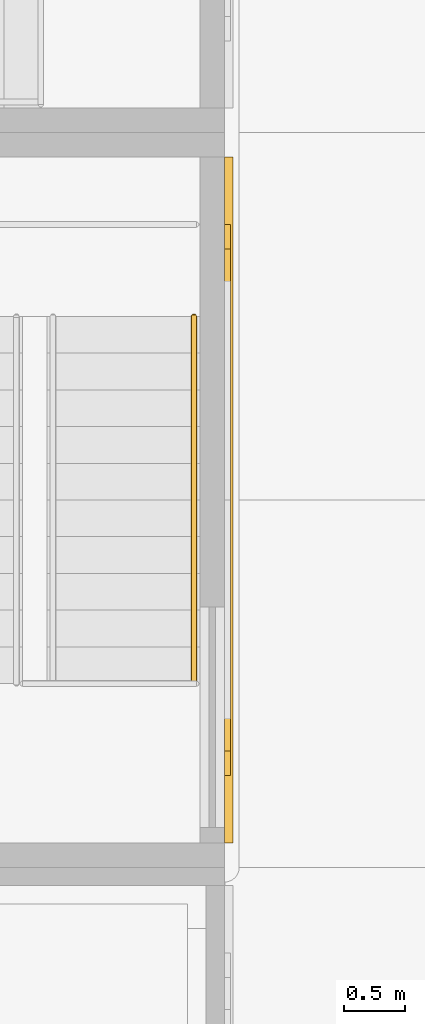
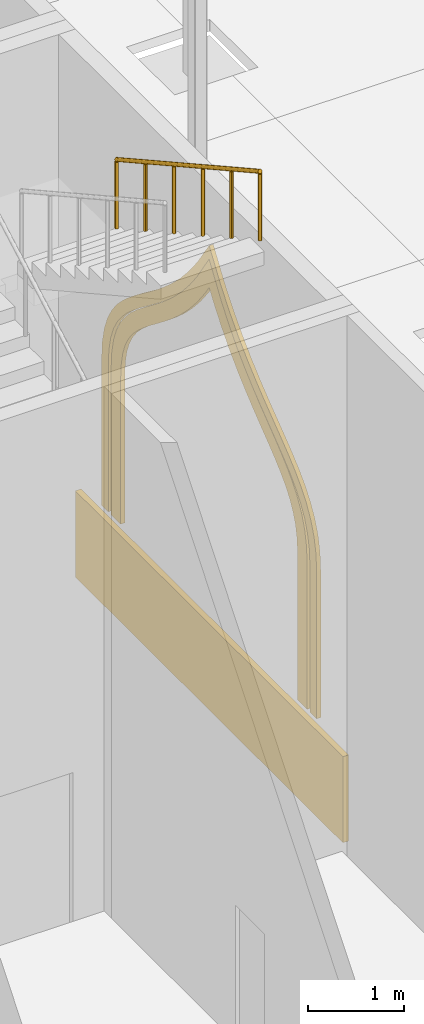
# One storey, part 71 of 95: 3 coverings, 1 railing.
"""IFC4 building model written with IfcOpenShell, lengths in metres."""

from ifc_helpers import new_model, si_unit, direction, frame, origin, origin_2d, place, context, subcontext, project, spatial, polyline, rectangle, circle, outline, extrude, material, layer, layer_set, type_object, element, save


model = new_model("IFC4")

# Units and contexts
model_context = context("Model", 3, precision=1e-05, world=origin(), true_north=direction((0.0, 1.0)))
body_context = subcontext(model_context, "Body", "Model", "MODEL_VIEW")
ifc_project = project(units=[si_unit("LENGTHUNIT", "METRE"), si_unit("AREAUNIT", "SQUARE_METRE"), si_unit("VOLUMEUNIT", "CUBIC_METRE"), si_unit("PLANEANGLEUNIT", "RADIAN"), si_unit("MASSUNIT", "GRAM", prefix="KILO")], contexts=[model_context])

# Site, building, storey
site_placement = place(None, origin())
site = spatial("IfcSite", under=ifc_project, at=site_placement, CompositionType="ELEMENT")
building_placement = place(site_placement, origin())
building = spatial("IfcBuilding", under=site, at=building_placement, Name="Saffron Lane Theatres", CompositionType="ELEMENT")
storey_placement = place(building_placement, origin())
storey = spatial("IfcBuildingStorey", under=building, at=storey_placement, Name="L00", CompositionType="ELEMENT", Elevation=0.0)

# Coverings
ifc_material_1 = material(Name="Masonry sandstone", Category="masonry")
ifc_layer_1 = layer(ifc_material_1, 0.050048828125)
ifc_layer_set_1 = layer_set([ifc_layer_1], Name="Masonry sandstone")
covering_type_1 = type_object("IfcCoveringType", Name="EX-ARCH FRAME RING SANDSTONE 50", PredefinedType="CLADDING", material=ifc_layer_set_1)
covering_1_placement = place(storey_placement, frame((54.0, 60.949951171875, 3.1298828125), z_axis=(-1.0, 0.0, 0.0), x_axis=(0.0, 0.063270109204, 0.997996439513)))
element("IfcCovering", 1, at=covering_1_placement, inside=storey, type_object=covering_type_1, Name="Arch recess ring L00", PredefinedType="CLADDING", context=body_context, shape_type="SweptSolid", body=[
    extrude(outline(polyline([(0.0, 0.0), (0.20451131328636926, 0.0), (0.39167061959098615, 0.0272755584828641), (0.5603025045638261, 0.07872099349623404), (0.7122943927847947, 0.15323812471010928), (0.850322953083702, 0.24674316688458328), (0.9794859222312594, 0.3547542152652111), (1.1014425201368863, 0.47643218780048757), (1.22206777840678, 0.6079797937474251), (1.3461265989027185, 0.747382536704494), (1.475506406204607, 0.8935422363416936), (1.61737772331112, 1.0438026252684656), (1.772425164233714, 1.1973864086493233), (1.9466009945986111, 1.3517145531137325), (2.1436646167616167, 1.5043470465272013), (2.366570742024628, 1.6555858301906534), (2.7526149361191536, 1.8796565861857986), (2.3979586477623505, 2.15068562635549), (2.1959366015138087, 2.3288636362032866), (2.0198033987772868, 2.506378890724539), (1.866496200622854, 2.6812238882968886), (1.7320239026346331, 2.8521838689374683), (1.6102643243423505, 3.0191576997974177), (1.5003783836945004, 3.1804861609673156), (1.3949175152203226, 3.3344397932968923), (1.291870719907874, 3.480167565320222), (1.1862568406393097, 3.6162728527959676), (1.071768335296298, 3.7397307051813806), (0.9466533031453908, 3.849918295681022), (0.8052888160797143, 3.9430333789166583), (0.6445656947573242, 4.016337498842459), (0.4622875785182192, 4.066055806298615), (0.2594136264563572, 4.091882862594615), (-1.6167027271210241, 4.2108232534314585), (-1.6293536596009428, 4.011272695823683), (0.24091505858866472, 3.8927030282829542), (0.4226376727818617, 3.868950798358842), (0.5763074336567084, 3.8271619474415197), (0.707818317012993, 3.767696706658345), (0.825226268312909, 3.69028898295165), (0.9325996259923582, 3.597371793676754), (1.0327386333131892, 3.4868105653896757), (1.130945332887761, 3.3612047329002017), (1.2313772465864183, 3.2205353520147404), (1.3349506904806907, 3.067679900015165), (1.4478805258648797, 2.9042014185972795), (1.5719958874924584, 2.731940991928976), (1.7130397805127526, 2.552736206788559), (1.8738777327932161, 2.369340966025863), (2.0582726440792407, 2.1832291279022495), (2.2709311264061713, 1.9953254605140816), (2.3932290112455648, 1.9024406220928562), (2.260180150818841, 1.8257440342686455), (2.0254945259810873, 1.6662006990332623), (1.8190724721842393, 1.5048655345333242), (1.6363618454330005, 1.3432502874173748), (1.4738160012380457, 1.1832922200669196), (1.3289401350280363, 1.0280850650198985), (1.196269284125732, 0.8801769620388366), (1.074221462641737, 0.7416252505476916), (0.9568289581458259, 0.6147653124425081), (0.8435461778625839, 0.5025673058291871), (0.7302464935296764, 0.4055374778503005), (0.6119985858308586, 0.3269240290838356), (0.4858168498562248, 0.2659377152798876), (0.34778741520992096, 0.22258203382804242), (0.19007059168582058, 0.2005341984288354), (0.006803297092145158, 0.19992128090389086), (-1.8634654210974624, 0.31849094844461956), (-1.8761163535773813, 0.11894039083684355), (0.0, 0.0)])), origin(), (0.0, 0.0, -1.0), 0.050048828125),
])
covering_2_placement = place(storey_placement, frame((54.0, 60.75, 3.12890625), z_axis=(-1.0, 0.0, 0.0), x_axis=(0.0, 0.063067105822, 0.998009288616)))
element("IfcCovering", 2, at=covering_2_placement, inside=storey, type_object=covering_type_1, Name="Arch recess ring L00", PredefinedType="CLADDING", context=body_context, shape_type="SweptSolid", body=[
    extrude(outline(polyline([(0.0, 0.0), (0.22065410238359984, 0.0), (0.4187134265220611, 0.029560004583244877), (0.5977096136465027, 0.08649981821842359), (0.7591480818830546, 0.16754415025789063), (0.9059345880561891, 0.2683507081522934), (1.0436269965020135, 0.3878343914866551), (1.1763647343450248, 0.5218195761099406), (1.3079077001851873, 0.667867014636728), (1.443005808311013, 0.823719525322545), (1.5854805462929957, 0.9879124792278838), (1.74149756436062, 1.1573653473180439), (1.9128829214646568, 1.3300057147601387), (2.1051636874559483, 1.5042611719162358), (2.322602467400049, 1.6779053315271268), (2.5687309025280785, 1.848757998061501), (2.939299582482729, 2.0687451567247677), (2.5993714153662166, 2.333630674903618), (2.376708378009706, 2.5341076362624033), (2.1828581737781825, 2.733742341436499), (2.0140428055584096, 2.9308165121735614), (1.8657533124027184, 3.1236580619491425), (1.7323086520339435, 3.311402854286392), (1.6116364096191989, 3.4922248302345396), (1.4972321955910908, 3.6638441173757603), (1.3851205499528025, 3.825288798534778), (1.2703052025337076, 3.97491758167241), (1.1487491043664604, 4.110783931167464), (1.0158201165623333, 4.229266523603667), (0.8658679913294249, 4.329988531727124), (0.6954634655937679, 4.409007991296922), (0.5027007929207938, 4.463265173062263), (0.2838019761972683, 4.491041798770807), (-1.59136391374089, 4.609538978068451), (-1.6001865337691579, 4.469924885691299), (0.27108088238534517, 4.35167406227577), (0.47394468647918964, 4.32564461841539), (0.6469894341356787, 4.276792138941024), (0.7970093612615814, 4.208112062862302), (0.9298059868044842, 4.1185038925216135), (1.0502089125366965, 4.010842590258167), (1.1633656797845302, 3.885292123199643), (1.2717436291480344, 3.7421858281426754), (1.3819241364077643, 3.585021850562481), (1.4954153209604875, 3.414438770837703), (1.618203468665377, 3.2322599466484734), (1.7523763915979502, 3.0405550915570396), (1.9052310321305657, 2.842532504699245), (2.0797528345714937, 2.638982037609416), (2.279081215655327, 2.4331300879366635), (2.509399924124821, 2.2260536522840537), (2.691990151832101, 2.0843733579964816), (2.493017257964128, 1.9668051456709819), (2.238463289591504, 1.7903692228565102), (2.0148072651487468, 1.6112468863933098), (1.816050202804688, 1.4312849950160573), (1.639483808618438, 1.2540794801970379), (1.4822458162227838, 1.080789727293752), (1.3375012005243339, 0.9155170755147108), (1.203439299814951, 0.7605775943042786), (1.0743509786028422, 0.6185337089889347), (0.9488205009470336, 0.4902087668589081), (0.820759202831201, 0.3799015700062919), (0.6877613326258244, 0.28825340008036515), (0.5447409379751207, 0.21607490839936183), (0.3872687454152185, 0.16682615252251398), (0.2094508525427381, 0.1401457024385599), (0.004924146244612728, 0.13986044825926805), (-1.8663432699098903, 0.2581112716747965), (-1.8751658899381582, 0.11849717929764414), (0.0, 0.0)])), origin(), (0.0, 0.0, -1.0), 0.050048828125),
])
ifc_material_2 = material(Name="Masonry sandstone", Category="masonry")
ifc_layer_2 = layer(ifc_material_2, 0.070068359375)
ifc_layer_set_2 = layer_set([ifc_layer_2], Name="Masonry sandstone")
covering_type_2 = type_object("IfcCoveringType", Name="EX-PLINTH COURSE SANDSTONE 70", PredefinedType="CLADDING", material=ifc_layer_set_2)
covering_3_placement = place(storey_placement, frame((54.034912109375, 63.0, 0.0), z_axis=(0.0, 0.0, 1.0), x_axis=(0.0, 1.0, 0.0)))
element("IfcCovering", 3, at=covering_3_placement, inside=storey, type_object=covering_type_2, Name="Plinth course L00", PredefinedType="CLADDING", context=body_context, shape_type="SweptSolid", body=[
    extrude(rectangle(XDim=5.60009765625, YDim=0.070068359375, at=origin_2d()), origin(), (0.0, 0.0, 1.0), 1.10009765625),
])

# Railing
ifc_material_3 = material(Name="Steel Grade 350", Category="steel")
railing_type = type_object("IfcRailingType", Name="VC-HANDRAIL 900", PredefinedType="HANDRAIL", material=ifc_material_3)
railing_placement = place(storey_placement, frame((53.75, 64.5, 5.333251953125)))
element("IfcRailing", 4, at=railing_placement, inside=storey, type_object=railing_type, Name="Auditorium East Front Stair handrail 1.4b", PredefinedType="HANDRAIL", context=body_context, shape_type="SweptSolid", body=[
    extrude(circle(Radius=0.02392578125, at=origin_2d()), frame((0.0, 0.0, 0.8759765625), z_axis=(0.0, -0.874090171491, 0.485763699861), x_axis=(1.0, 0.0, 0.0)), (0.0, 0.0, 1.0), 0.6865234375),
    extrude(circle(Radius=0.02392578125, at=origin_2d()), frame((0.0, -0.60009765625, 1.20947265625), z_axis=(0.0, -0.874157276122, 0.485642931179), x_axis=(1.0, 0.0, 0.0)), (0.0, 0.0, 1.0), 0.686279296875),
    extrude(circle(Radius=0.02392578125, at=origin_2d()), frame((0.0, -1.199951171875, 1.54248046875), z_axis=(0.0, -0.874241147926, 0.485491931212), x_axis=(1.0, 0.0, 0.0)), (0.0, 0.0, 1.0), 0.6865234375),
    extrude(circle(Radius=0.02392578125, at=origin_2d()), frame((0.0, -1.800048828125, 1.8759765625), z_axis=(0.0, -0.874006220275, 0.485914732151), x_axis=(1.0, 0.0, 0.0)), (0.0, 0.0, 1.0), 0.686279296875),
    extrude(circle(Radius=0.02392578125, at=origin_2d()), frame((0.0, -2.39990234375, 2.20947265625), z_axis=(0.0, -0.874241147926, 0.485491931212), x_axis=(1.0, 0.0, 0.0)), (0.0, 0.0, 1.0), 0.6865234375),
    extrude(circle(Radius=0.02099609375, at=origin_2d()), origin(), (0.0, 0.0, 1.0), 0.851806640625),
    extrude(circle(Radius=0.02099609375, at=origin_2d()), frame((0.0, -0.60009765625, 0.33349609375)), (0.0, 0.0, 1.0), 0.851806640625),
    extrude(circle(Radius=0.02099609375, at=origin_2d()), frame((0.0, -1.199951171875, 0.666748046875)), (0.0, 0.0, 1.0), 0.851806640625),
    extrude(circle(Radius=0.02099609375, at=origin_2d()), frame((0.0, -1.800048828125, 1.0)), (0.0, 0.0, 1.0), 0.851806640625),
    extrude(circle(Radius=0.02099609375, at=origin_2d()), frame((0.0, -2.39990234375, 1.33349609375)), (0.0, 0.0, 1.0), 0.851806640625),
    extrude(circle(Radius=0.02099609375, at=origin_2d()), frame((0.0, -3.0, 1.666748046875)), (0.0, 0.0, 1.0), 0.851806640625),
])

save(model, "model.ifc")
